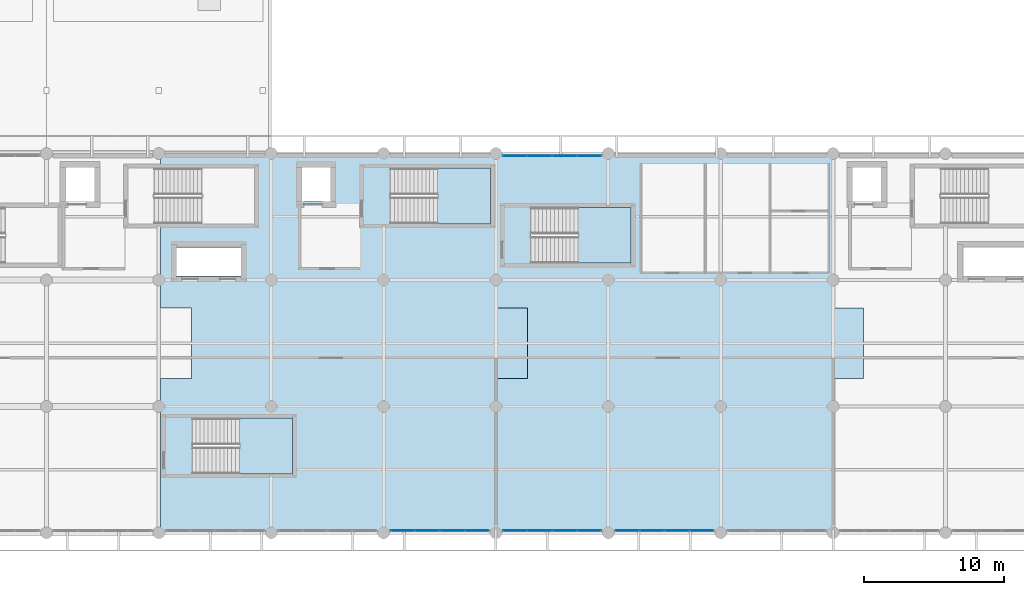
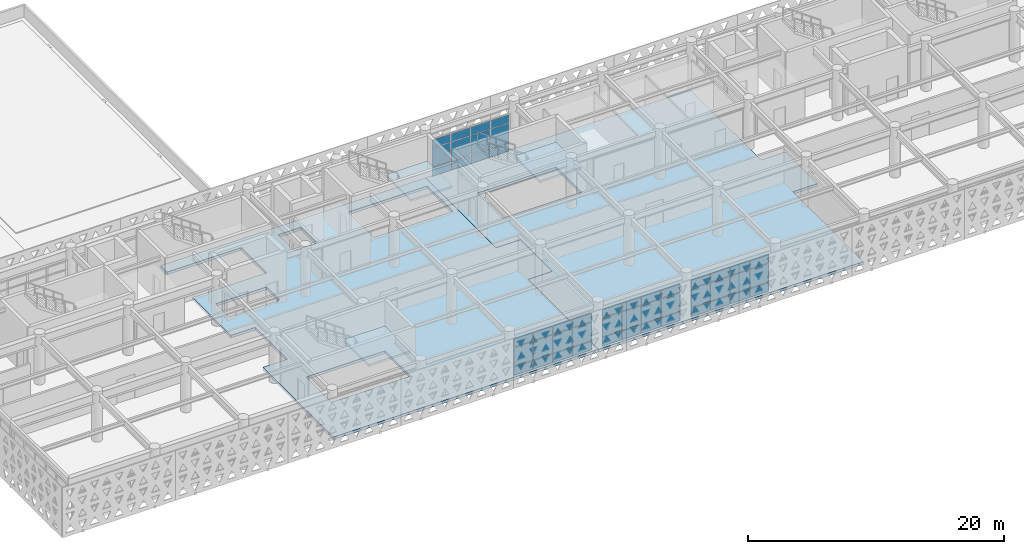
# One storey, part 29 of 54: 48 plates, 5 slabs, 7 elements without a shape of their own.
"""IFC4 building model written with IfcOpenShell, lengths in metres."""

from ifc_helpers import new_model, si_unit, direction, frame, origin, origin_2d, place, context, subcontext, project, spatial, polyline, rectangle, outline, extrude, material, layer, layer_set, type_object, element, aggregate, save


model = new_model("IFC4")

# Units and contexts
model_context = context("Model", 3, precision=1e-05, world=origin(), true_north=direction((0.0, 1.0)))
body_context = subcontext(model_context, "Body", "Model", "MODEL_VIEW")
ifc_project = project(units=[si_unit("LENGTHUNIT", "METRE"), si_unit("AREAUNIT", "SQUARE_METRE"), si_unit("VOLUMEUNIT", "CUBIC_METRE"), si_unit("PLANEANGLEUNIT", "RADIAN"), si_unit("MASSUNIT", "GRAM", prefix="KILO")], contexts=[model_context])

# Site, building, storey
site_placement = place(None, origin())
site = spatial("IfcSite", under=ifc_project, at=site_placement, CompositionType="ELEMENT")
building_placement = place(site_placement, origin())
building = spatial("IfcBuilding", under=site, at=building_placement, Name="Tlacozan Convention Centre", CompositionType="ELEMENT")
storey_placement = place(building_placement, frame((0.0, 0.0, 11.39990234375)))
storey = spatial("IfcBuildingStorey", under=building, at=storey_placement, Name="L02", CompositionType="ELEMENT", Elevation=11.39990234375)

# Curtain wall, plates
ifc_material_1 = material(Name="Dark Bronze Anodised Aluminium", Category="aluminium")
ifc_layer_1 = layer(ifc_material_1, 0.159912109375)
ifc_layer_set_1 = layer_set([ifc_layer_1], Name="Dark Bronze Anodised Aluminium")
curtain_wall_type = type_object("IfcCurtainWallType", Name="Unitised Congress L02 South CW03", PredefinedType="NOTDEFINED", material=ifc_layer_set_1)
curtain_wall_1_placement = place(storey_placement, origin())
curtain_wall_1 = element("IfcCurtainWall", 1, at=curtain_wall_1_placement, inside=storey, type_object=curtain_wall_type, Name="L02 CW-03 Run 95", PredefinedType="NOTDEFINED")
ifc_material_2 = material(Name="Solar Control Double Low-E Argon Glazing", Category="glass")
ifc_layer_2 = layer(ifc_material_2, 0.030029296875)
ifc_layer_set_2 = layer_set([ifc_layer_2], Name="Solar Control Double Low-E Argon Glazing")
plate_type_1 = type_object("IfcPlateType", Name="Double Low-E Acoustic CW Panel 30", PredefinedType="CURTAIN_PANEL", material=ifc_layer_set_2)
plate_1_placement = place(storey_placement, frame((49.353759765625, 26.840087890625, 0.06494140625), z_axis=(0.0, 0.0, 1.0), x_axis=(1.0, 0.0, 0.0)))
plate_1 = element("IfcPlate", 2, at=plate_1_placement, type_object=plate_type_1, Name="CW-03 panel 1.1", PredefinedType="CURTAIN_PANEL", context=body_context, shape_type="SweptSolid", body=[
    extrude(rectangle(XDim=1.677490234375, YDim=0.030029296875, at=origin_2d()), origin(), (0.0, 0.0, 1.0), 0.802490234375),
])
plate_2_placement = place(storey_placement, frame((49.353759765625, 26.840087890625, 0.9326171875), z_axis=(0.0, 0.0, 1.0), x_axis=(1.0, 0.0, 0.0)))
plate_2 = element("IfcPlate", 3, at=plate_2_placement, type_object=plate_type_1, Name="CW-03 panel 1.2", PredefinedType="CURTAIN_PANEL", context=body_context, shape_type="SweptSolid", body=[
    extrude(rectangle(XDim=1.677490234375, YDim=0.030029296875, at=origin_2d()), origin(), (0.0, 0.0, 1.0), 1.77490234375),
])
plate_3_placement = place(storey_placement, frame((49.353759765625, 26.840087890625, 2.772705078125), z_axis=(0.0, 0.0, 1.0), x_axis=(1.0, 0.0, 0.0)))
plate_3 = element("IfcPlate", 4, at=plate_3_placement, type_object=plate_type_1, Name="CW-03 panel 1.3", PredefinedType="CURTAIN_PANEL", context=body_context, shape_type="SweptSolid", body=[
    extrude(rectangle(XDim=1.677490234375, YDim=0.030029296875, at=origin_2d()), origin(), (0.0, 0.0, 1.0), 0.75244140625),
])
plate_4_placement = place(storey_placement, frame((51.112548828125, 26.840087890625, 0.06494140625), z_axis=(0.0, 0.0, 1.0), x_axis=(1.0, 0.0, 0.0)))
plate_4 = element("IfcPlate", 5, at=plate_4_placement, type_object=plate_type_1, Name="CW-03 panel 2.1", PredefinedType="CURTAIN_PANEL", context=body_context, shape_type="SweptSolid", body=[
    extrude(rectangle(XDim=1.7099609375, YDim=0.030029296875, at=origin_2d()), origin(), (0.0, 0.0, 1.0), 0.802490234375),
])
plate_5_placement = place(storey_placement, frame((51.112548828125, 26.840087890625, 0.9326171875), z_axis=(0.0, 0.0, 1.0), x_axis=(1.0, 0.0, 0.0)))
plate_5 = element("IfcPlate", 6, at=plate_5_placement, type_object=plate_type_1, Name="CW-03 panel 2.2", PredefinedType="CURTAIN_PANEL", context=body_context, shape_type="SweptSolid", body=[
    extrude(rectangle(XDim=1.7099609375, YDim=0.030029296875, at=origin_2d()), origin(), (0.0, 0.0, 1.0), 1.77490234375),
])
plate_6_placement = place(storey_placement, frame((51.112548828125, 26.840087890625, 2.772705078125), z_axis=(0.0, 0.0, 1.0), x_axis=(1.0, 0.0, 0.0)))
plate_6 = element("IfcPlate", 7, at=plate_6_placement, type_object=plate_type_1, Name="CW-03 panel 2.3", PredefinedType="CURTAIN_PANEL", context=body_context, shape_type="SweptSolid", body=[
    extrude(rectangle(XDim=1.7099609375, YDim=0.030029296875, at=origin_2d()), origin(), (0.0, 0.0, 1.0), 0.75244140625),
])
plate_7_placement = place(storey_placement, frame((52.887451171875, 26.840087890625, 0.06494140625), z_axis=(0.0, 0.0, 1.0), x_axis=(1.0, 0.0, 0.0)))
plate_7 = element("IfcPlate", 8, at=plate_7_placement, type_object=plate_type_1, Name="CW-03 panel 3.1", PredefinedType="CURTAIN_PANEL", context=body_context, shape_type="SweptSolid", body=[
    extrude(rectangle(XDim=1.7099609375, YDim=0.030029296875, at=origin_2d()), origin(), (0.0, 0.0, 1.0), 0.802490234375),
])
plate_8_placement = place(storey_placement, frame((52.887451171875, 26.840087890625, 0.9326171875), z_axis=(0.0, 0.0, 1.0), x_axis=(1.0, 0.0, 0.0)))
plate_8 = element("IfcPlate", 9, at=plate_8_placement, type_object=plate_type_1, Name="CW-03 panel 3.2", PredefinedType="CURTAIN_PANEL", context=body_context, shape_type="SweptSolid", body=[
    extrude(rectangle(XDim=1.7099609375, YDim=0.030029296875, at=origin_2d()), origin(), (0.0, 0.0, 1.0), 1.77490234375),
])
plate_9_placement = place(storey_placement, frame((52.887451171875, 26.840087890625, 2.772705078125), z_axis=(0.0, 0.0, 1.0), x_axis=(1.0, 0.0, 0.0)))
plate_9 = element("IfcPlate", 10, at=plate_9_placement, type_object=plate_type_1, Name="CW-03 panel 3.3", PredefinedType="CURTAIN_PANEL", context=body_context, shape_type="SweptSolid", body=[
    extrude(rectangle(XDim=1.7099609375, YDim=0.030029296875, at=origin_2d()), origin(), (0.0, 0.0, 1.0), 0.75244140625),
])
plate_10_placement = place(storey_placement, frame((54.646240234375, 26.840087890625, 0.06494140625), z_axis=(0.0, 0.0, 1.0), x_axis=(1.0, 0.0, 0.0)))
plate_10 = element("IfcPlate", 11, at=plate_10_placement, type_object=plate_type_1, Name="CW-03 panel 4.1", PredefinedType="CURTAIN_PANEL", context=body_context, shape_type="SweptSolid", body=[
    extrude(rectangle(XDim=1.677490234375, YDim=0.030029296875, at=origin_2d()), origin(), (0.0, 0.0, 1.0), 0.802490234375),
])
plate_11_placement = place(storey_placement, frame((54.646240234375, 26.840087890625, 0.9326171875), z_axis=(0.0, 0.0, 1.0), x_axis=(1.0, 0.0, 0.0)))
plate_11 = element("IfcPlate", 12, at=plate_11_placement, type_object=plate_type_1, Name="CW-03 panel 4.2", PredefinedType="CURTAIN_PANEL", context=body_context, shape_type="SweptSolid", body=[
    extrude(rectangle(XDim=1.677490234375, YDim=0.030029296875, at=origin_2d()), origin(), (0.0, 0.0, 1.0), 1.77490234375),
])
plate_12_placement = place(storey_placement, frame((54.646240234375, 26.840087890625, 2.772705078125), z_axis=(0.0, 0.0, 1.0), x_axis=(1.0, 0.0, 0.0)))
plate_12 = element("IfcPlate", 13, at=plate_12_placement, type_object=plate_type_1, Name="CW-03 panel 4.3", PredefinedType="CURTAIN_PANEL", context=body_context, shape_type="SweptSolid", body=[
    extrude(rectangle(XDim=1.677490234375, YDim=0.030029296875, at=origin_2d()), origin(), (0.0, 0.0, 1.0), 0.75244140625),
])
aggregate(curtain_wall_1, [plate_1, plate_2, plate_3, plate_4, plate_5, plate_6, plate_7, plate_8, plate_9, plate_10, plate_11, plate_12])

curtain_wall_2_placement = place(storey_placement, origin())
curtain_wall_2 = element("IfcCurtainWall", 14, at=curtain_wall_2_placement, inside=storey, type_object=curtain_wall_type, Name="L02 CW-03 Run 84", PredefinedType="NOTDEFINED")
ifc_layer_3 = layer(ifc_material_2, 0.02001953125)
ifc_layer_set_3 = layer_set([ifc_layer_3], Name="Solar Control Double Low-E Argon Glazing")
plate_type_2 = type_object("IfcPlateType", Name="Double Low-E Glazed CW Panel 20", PredefinedType="CURTAIN_PANEL", material=ifc_layer_set_3)
plate_13_placement = place(storey_placement, frame((49.353759765625, 0.159912109375, 0.06494140625), z_axis=(0.0, 0.0, 1.0), x_axis=(1.0, 0.0, 0.0)))
plate_13 = element("IfcPlate", 15, at=plate_13_placement, type_object=plate_type_2, Name="CW-03 panel 1.1", PredefinedType="CURTAIN_PANEL", context=body_context, shape_type="SweptSolid", body=[
    extrude(rectangle(XDim=1.677490234375, YDim=0.02001953125, at=origin_2d()), origin(), (0.0, 0.0, 1.0), 0.802490234375),
])
plate_14_placement = place(storey_placement, frame((49.353759765625, 0.159912109375, 0.9326171875), z_axis=(0.0, 0.0, 1.0), x_axis=(1.0, 0.0, 0.0)))
plate_14 = element("IfcPlate", 16, at=plate_14_placement, type_object=plate_type_2, Name="CW-03 panel 1.2", PredefinedType="CURTAIN_PANEL", context=body_context, shape_type="SweptSolid", body=[
    extrude(rectangle(XDim=1.677490234375, YDim=0.02001953125, at=origin_2d()), origin(), (0.0, 0.0, 1.0), 1.77490234375),
])
plate_15_placement = place(storey_placement, frame((49.353759765625, 0.159912109375, 2.772705078125), z_axis=(0.0, 0.0, 1.0), x_axis=(1.0, 0.0, 0.0)))
plate_15 = element("IfcPlate", 17, at=plate_15_placement, type_object=plate_type_2, Name="CW-03 panel 1.3", PredefinedType="CURTAIN_PANEL", context=body_context, shape_type="SweptSolid", body=[
    extrude(rectangle(XDim=1.677490234375, YDim=0.02001953125, at=origin_2d()), origin(), (0.0, 0.0, 1.0), 0.75244140625),
])
plate_16_placement = place(storey_placement, frame((51.112548828125, 0.159912109375, 0.06494140625), z_axis=(0.0, 0.0, 1.0), x_axis=(1.0, 0.0, 0.0)))
plate_16 = element("IfcPlate", 18, at=plate_16_placement, type_object=plate_type_2, Name="CW-03 panel 2.1", PredefinedType="CURTAIN_PANEL", context=body_context, shape_type="SweptSolid", body=[
    extrude(rectangle(XDim=1.7099609375, YDim=0.02001953125, at=origin_2d()), origin(), (0.0, 0.0, 1.0), 0.802490234375),
])
plate_17_placement = place(storey_placement, frame((51.112548828125, 0.159912109375, 0.9326171875), z_axis=(0.0, 0.0, 1.0), x_axis=(1.0, 0.0, 0.0)))
plate_17 = element("IfcPlate", 19, at=plate_17_placement, type_object=plate_type_2, Name="CW-03 panel 2.2", PredefinedType="CURTAIN_PANEL", context=body_context, shape_type="SweptSolid", body=[
    extrude(rectangle(XDim=1.7099609375, YDim=0.02001953125, at=origin_2d()), origin(), (0.0, 0.0, 1.0), 1.77490234375),
])
plate_18_placement = place(storey_placement, frame((51.112548828125, 0.159912109375, 2.772705078125), z_axis=(0.0, 0.0, 1.0), x_axis=(1.0, 0.0, 0.0)))
plate_18 = element("IfcPlate", 20, at=plate_18_placement, type_object=plate_type_2, Name="CW-03 panel 2.3", PredefinedType="CURTAIN_PANEL", context=body_context, shape_type="SweptSolid", body=[
    extrude(rectangle(XDim=1.7099609375, YDim=0.02001953125, at=origin_2d()), origin(), (0.0, 0.0, 1.0), 0.75244140625),
])
plate_19_placement = place(storey_placement, frame((52.887451171875, 0.159912109375, 0.06494140625), z_axis=(0.0, 0.0, 1.0), x_axis=(1.0, 0.0, 0.0)))
plate_19 = element("IfcPlate", 21, at=plate_19_placement, type_object=plate_type_2, Name="CW-03 panel 3.1", PredefinedType="CURTAIN_PANEL", context=body_context, shape_type="SweptSolid", body=[
    extrude(rectangle(XDim=1.7099609375, YDim=0.02001953125, at=origin_2d()), origin(), (0.0, 0.0, 1.0), 0.802490234375),
])
plate_20_placement = place(storey_placement, frame((52.887451171875, 0.159912109375, 0.9326171875), z_axis=(0.0, 0.0, 1.0), x_axis=(1.0, 0.0, 0.0)))
plate_20 = element("IfcPlate", 22, at=plate_20_placement, type_object=plate_type_2, Name="CW-03 panel 3.2", PredefinedType="CURTAIN_PANEL", context=body_context, shape_type="SweptSolid", body=[
    extrude(rectangle(XDim=1.7099609375, YDim=0.02001953125, at=origin_2d()), origin(), (0.0, 0.0, 1.0), 1.77490234375),
])
plate_21_placement = place(storey_placement, frame((52.887451171875, 0.159912109375, 2.772705078125), z_axis=(0.0, 0.0, 1.0), x_axis=(1.0, 0.0, 0.0)))
plate_21 = element("IfcPlate", 23, at=plate_21_placement, type_object=plate_type_2, Name="CW-03 panel 3.3", PredefinedType="CURTAIN_PANEL", context=body_context, shape_type="SweptSolid", body=[
    extrude(rectangle(XDim=1.7099609375, YDim=0.02001953125, at=origin_2d()), origin(), (0.0, 0.0, 1.0), 0.75244140625),
])
plate_22_placement = place(storey_placement, frame((54.646240234375, 0.159912109375, 0.06494140625), z_axis=(0.0, 0.0, 1.0), x_axis=(1.0, 0.0, 0.0)))
plate_22 = element("IfcPlate", 24, at=plate_22_placement, type_object=plate_type_2, Name="CW-03 panel 4.1", PredefinedType="CURTAIN_PANEL", context=body_context, shape_type="SweptSolid", body=[
    extrude(rectangle(XDim=1.677490234375, YDim=0.02001953125, at=origin_2d()), origin(), (0.0, 0.0, 1.0), 0.802490234375),
])
plate_23_placement = place(storey_placement, frame((54.646240234375, 0.159912109375, 0.9326171875), z_axis=(0.0, 0.0, 1.0), x_axis=(1.0, 0.0, 0.0)))
plate_23 = element("IfcPlate", 25, at=plate_23_placement, type_object=plate_type_2, Name="CW-03 panel 4.2", PredefinedType="CURTAIN_PANEL", context=body_context, shape_type="SweptSolid", body=[
    extrude(rectangle(XDim=1.677490234375, YDim=0.02001953125, at=origin_2d()), origin(), (0.0, 0.0, 1.0), 1.77490234375),
])
plate_24_placement = place(storey_placement, frame((54.646240234375, 0.159912109375, 2.772705078125), z_axis=(0.0, 0.0, 1.0), x_axis=(1.0, 0.0, 0.0)))
plate_24 = element("IfcPlate", 26, at=plate_24_placement, type_object=plate_type_2, Name="CW-03 panel 4.3", PredefinedType="CURTAIN_PANEL", context=body_context, shape_type="SweptSolid", body=[
    extrude(rectangle(XDim=1.677490234375, YDim=0.02001953125, at=origin_2d()), origin(), (0.0, 0.0, 1.0), 0.75244140625),
])
aggregate(curtain_wall_2, [plate_13, plate_14, plate_15, plate_16, plate_17, plate_18, plate_19, plate_20, plate_21, plate_22, plate_23, plate_24])

curtain_wall_3_placement = place(storey_placement, origin())
curtain_wall_3 = element("IfcCurtainWall", 27, at=curtain_wall_3_placement, inside=storey, type_object=curtain_wall_type, Name="L02 CW-03 Run 83", PredefinedType="NOTDEFINED")
ifc_layer_4 = layer(ifc_material_2, 0.0400390625)
ifc_layer_set_4 = layer_set([ifc_layer_4], Name="Solar Control Double Low-E Argon Glazing")
plate_type_3 = type_object("IfcPlateType", Name="Insulated Spandrel CW Panel 40", PredefinedType="CURTAIN_PANEL", material=ifc_layer_set_4)
plate_25_placement = place(storey_placement, frame((41.353759765625, 0.159912109375, 0.06494140625), z_axis=(0.0, 0.0, 1.0), x_axis=(1.0, 0.0, 0.0)))
plate_25 = element("IfcPlate", 28, at=plate_25_placement, type_object=plate_type_3, Name="CW-03 panel 1.1", PredefinedType="CURTAIN_PANEL", context=body_context, shape_type="SweptSolid", body=[
    extrude(rectangle(XDim=1.677490234375, YDim=0.0400390625, at=origin_2d()), origin(), (0.0, 0.0, 1.0), 0.802490234375),
])
plate_26_placement = place(storey_placement, frame((41.353759765625, 0.159912109375, 0.9326171875), z_axis=(0.0, 0.0, 1.0), x_axis=(1.0, 0.0, 0.0)))
plate_26 = element("IfcPlate", 29, at=plate_26_placement, type_object=plate_type_3, Name="CW-03 panel 1.2", PredefinedType="CURTAIN_PANEL", context=body_context, shape_type="SweptSolid", body=[
    extrude(rectangle(XDim=1.677490234375, YDim=0.0400390625, at=origin_2d()), origin(), (0.0, 0.0, 1.0), 1.77490234375),
])
plate_27_placement = place(storey_placement, frame((41.353759765625, 0.159912109375, 2.772705078125), z_axis=(0.0, 0.0, 1.0), x_axis=(1.0, 0.0, 0.0)))
plate_27 = element("IfcPlate", 30, at=plate_27_placement, type_object=plate_type_3, Name="CW-03 panel 1.3", PredefinedType="CURTAIN_PANEL", context=body_context, shape_type="SweptSolid", body=[
    extrude(rectangle(XDim=1.677490234375, YDim=0.0400390625, at=origin_2d()), origin(), (0.0, 0.0, 1.0), 0.75244140625),
])
plate_28_placement = place(storey_placement, frame((43.112548828125, 0.159912109375, 0.06494140625), z_axis=(0.0, 0.0, 1.0), x_axis=(1.0, 0.0, 0.0)))
plate_28 = element("IfcPlate", 31, at=plate_28_placement, type_object=plate_type_3, Name="CW-03 panel 2.1", PredefinedType="CURTAIN_PANEL", context=body_context, shape_type="SweptSolid", body=[
    extrude(rectangle(XDim=1.7099609375, YDim=0.0400390625, at=origin_2d()), origin(), (0.0, 0.0, 1.0), 0.802490234375),
])
plate_29_placement = place(storey_placement, frame((43.112548828125, 0.159912109375, 0.9326171875), z_axis=(0.0, 0.0, 1.0), x_axis=(1.0, 0.0, 0.0)))
plate_29 = element("IfcPlate", 32, at=plate_29_placement, type_object=plate_type_3, Name="CW-03 panel 2.2", PredefinedType="CURTAIN_PANEL", context=body_context, shape_type="SweptSolid", body=[
    extrude(rectangle(XDim=1.7099609375, YDim=0.0400390625, at=origin_2d()), origin(), (0.0, 0.0, 1.0), 1.77490234375),
])
plate_30_placement = place(storey_placement, frame((43.112548828125, 0.159912109375, 2.772705078125), z_axis=(0.0, 0.0, 1.0), x_axis=(1.0, 0.0, 0.0)))
plate_30 = element("IfcPlate", 33, at=plate_30_placement, type_object=plate_type_3, Name="CW-03 panel 2.3", PredefinedType="CURTAIN_PANEL", context=body_context, shape_type="SweptSolid", body=[
    extrude(rectangle(XDim=1.7099609375, YDim=0.0400390625, at=origin_2d()), origin(), (0.0, 0.0, 1.0), 0.75244140625),
])
plate_31_placement = place(storey_placement, frame((44.887451171875, 0.159912109375, 0.06494140625), z_axis=(0.0, 0.0, 1.0), x_axis=(1.0, 0.0, 0.0)))
plate_31 = element("IfcPlate", 34, at=plate_31_placement, type_object=plate_type_3, Name="CW-03 panel 3.1", PredefinedType="CURTAIN_PANEL", context=body_context, shape_type="SweptSolid", body=[
    extrude(rectangle(XDim=1.7099609375, YDim=0.0400390625, at=origin_2d()), origin(), (0.0, 0.0, 1.0), 0.802490234375),
])
plate_32_placement = place(storey_placement, frame((44.887451171875, 0.159912109375, 0.9326171875), z_axis=(0.0, 0.0, 1.0), x_axis=(1.0, 0.0, 0.0)))
plate_32 = element("IfcPlate", 35, at=plate_32_placement, type_object=plate_type_3, Name="CW-03 panel 3.2", PredefinedType="CURTAIN_PANEL", context=body_context, shape_type="SweptSolid", body=[
    extrude(rectangle(XDim=1.7099609375, YDim=0.0400390625, at=origin_2d()), origin(), (0.0, 0.0, 1.0), 1.77490234375),
])
plate_33_placement = place(storey_placement, frame((44.887451171875, 0.159912109375, 2.772705078125), z_axis=(0.0, 0.0, 1.0), x_axis=(1.0, 0.0, 0.0)))
plate_33 = element("IfcPlate", 36, at=plate_33_placement, type_object=plate_type_3, Name="CW-03 panel 3.3", PredefinedType="CURTAIN_PANEL", context=body_context, shape_type="SweptSolid", body=[
    extrude(rectangle(XDim=1.7099609375, YDim=0.0400390625, at=origin_2d()), origin(), (0.0, 0.0, 1.0), 0.75244140625),
])
plate_34_placement = place(storey_placement, frame((46.646240234375, 0.159912109375, 0.06494140625), z_axis=(0.0, 0.0, 1.0), x_axis=(1.0, 0.0, 0.0)))
plate_34 = element("IfcPlate", 37, at=plate_34_placement, type_object=plate_type_3, Name="CW-03 panel 4.1", PredefinedType="CURTAIN_PANEL", context=body_context, shape_type="SweptSolid", body=[
    extrude(rectangle(XDim=1.677490234375, YDim=0.0400390625, at=origin_2d()), origin(), (0.0, 0.0, 1.0), 0.802490234375),
])
plate_35_placement = place(storey_placement, frame((46.646240234375, 0.159912109375, 0.9326171875), z_axis=(0.0, 0.0, 1.0), x_axis=(1.0, 0.0, 0.0)))
plate_35 = element("IfcPlate", 38, at=plate_35_placement, type_object=plate_type_3, Name="CW-03 panel 4.2", PredefinedType="CURTAIN_PANEL", context=body_context, shape_type="SweptSolid", body=[
    extrude(rectangle(XDim=1.677490234375, YDim=0.0400390625, at=origin_2d()), origin(), (0.0, 0.0, 1.0), 1.77490234375),
])
plate_36_placement = place(storey_placement, frame((46.646240234375, 0.159912109375, 2.772705078125), z_axis=(0.0, 0.0, 1.0), x_axis=(1.0, 0.0, 0.0)))
plate_36 = element("IfcPlate", 39, at=plate_36_placement, type_object=plate_type_3, Name="CW-03 panel 4.3", PredefinedType="CURTAIN_PANEL", context=body_context, shape_type="SweptSolid", body=[
    extrude(rectangle(XDim=1.677490234375, YDim=0.0400390625, at=origin_2d()), origin(), (0.0, 0.0, 1.0), 0.75244140625),
])
aggregate(curtain_wall_3, [plate_25, plate_26, plate_27, plate_28, plate_29, plate_30, plate_31, plate_32, plate_33, plate_34, plate_35, plate_36])

curtain_wall_4_placement = place(storey_placement, origin())
curtain_wall_4 = element("IfcCurtainWall", 40, at=curtain_wall_4_placement, inside=storey, type_object=curtain_wall_type, Name="L02 CW-03 Run 85", PredefinedType="NOTDEFINED")
plate_37_placement = place(storey_placement, frame((57.353759765625, 0.159912109375, 0.06494140625), z_axis=(0.0, 0.0, 1.0), x_axis=(1.0, 0.0, 0.0)))
plate_37 = element("IfcPlate", 41, at=plate_37_placement, type_object=plate_type_3, Name="CW-03 panel 1.1", PredefinedType="CURTAIN_PANEL", context=body_context, shape_type="SweptSolid", body=[
    extrude(rectangle(XDim=1.677490234375, YDim=0.0400390625, at=origin_2d()), origin(), (0.0, 0.0, 1.0), 0.802490234375),
])
plate_38_placement = place(storey_placement, frame((57.353759765625, 0.159912109375, 0.9326171875), z_axis=(0.0, 0.0, 1.0), x_axis=(1.0, 0.0, 0.0)))
plate_38 = element("IfcPlate", 42, at=plate_38_placement, type_object=plate_type_3, Name="CW-03 panel 1.2", PredefinedType="CURTAIN_PANEL", context=body_context, shape_type="SweptSolid", body=[
    extrude(rectangle(XDim=1.677490234375, YDim=0.0400390625, at=origin_2d()), origin(), (0.0, 0.0, 1.0), 1.77490234375),
])
plate_39_placement = place(storey_placement, frame((57.353759765625, 0.159912109375, 2.772705078125), z_axis=(0.0, 0.0, 1.0), x_axis=(1.0, 0.0, 0.0)))
plate_39 = element("IfcPlate", 43, at=plate_39_placement, type_object=plate_type_3, Name="CW-03 panel 1.3", PredefinedType="CURTAIN_PANEL", context=body_context, shape_type="SweptSolid", body=[
    extrude(rectangle(XDim=1.677490234375, YDim=0.0400390625, at=origin_2d()), origin(), (0.0, 0.0, 1.0), 0.75244140625),
])
plate_40_placement = place(storey_placement, frame((59.112548828125, 0.159912109375, 0.06494140625), z_axis=(0.0, 0.0, 1.0), x_axis=(1.0, 0.0, 0.0)))
plate_40 = element("IfcPlate", 44, at=plate_40_placement, type_object=plate_type_3, Name="CW-03 panel 2.1", PredefinedType="CURTAIN_PANEL", context=body_context, shape_type="SweptSolid", body=[
    extrude(rectangle(XDim=1.7099609375, YDim=0.0400390625, at=origin_2d()), origin(), (0.0, 0.0, 1.0), 0.802490234375),
])
plate_41_placement = place(storey_placement, frame((59.112548828125, 0.159912109375, 0.9326171875), z_axis=(0.0, 0.0, 1.0), x_axis=(1.0, 0.0, 0.0)))
plate_41 = element("IfcPlate", 45, at=plate_41_placement, type_object=plate_type_3, Name="CW-03 panel 2.2", PredefinedType="CURTAIN_PANEL", context=body_context, shape_type="SweptSolid", body=[
    extrude(rectangle(XDim=1.7099609375, YDim=0.0400390625, at=origin_2d()), origin(), (0.0, 0.0, 1.0), 1.77490234375),
])
plate_42_placement = place(storey_placement, frame((59.112548828125, 0.159912109375, 2.772705078125), z_axis=(0.0, 0.0, 1.0), x_axis=(1.0, 0.0, 0.0)))
plate_42 = element("IfcPlate", 46, at=plate_42_placement, type_object=plate_type_3, Name="CW-03 panel 2.3", PredefinedType="CURTAIN_PANEL", context=body_context, shape_type="SweptSolid", body=[
    extrude(rectangle(XDim=1.7099609375, YDim=0.0400390625, at=origin_2d()), origin(), (0.0, 0.0, 1.0), 0.75244140625),
])
plate_43_placement = place(storey_placement, frame((60.887451171875, 0.159912109375, 0.06494140625), z_axis=(0.0, 0.0, 1.0), x_axis=(1.0, 0.0, 0.0)))
plate_43 = element("IfcPlate", 47, at=plate_43_placement, type_object=plate_type_3, Name="CW-03 panel 3.1", PredefinedType="CURTAIN_PANEL", context=body_context, shape_type="SweptSolid", body=[
    extrude(rectangle(XDim=1.7099609375, YDim=0.0400390625, at=origin_2d()), origin(), (0.0, 0.0, 1.0), 0.802490234375),
])
plate_44_placement = place(storey_placement, frame((60.887451171875, 0.159912109375, 0.9326171875), z_axis=(0.0, 0.0, 1.0), x_axis=(1.0, 0.0, 0.0)))
plate_44 = element("IfcPlate", 48, at=plate_44_placement, type_object=plate_type_3, Name="CW-03 panel 3.2", PredefinedType="CURTAIN_PANEL", context=body_context, shape_type="SweptSolid", body=[
    extrude(rectangle(XDim=1.7099609375, YDim=0.0400390625, at=origin_2d()), origin(), (0.0, 0.0, 1.0), 1.77490234375),
])
plate_45_placement = place(storey_placement, frame((60.887451171875, 0.159912109375, 2.772705078125), z_axis=(0.0, 0.0, 1.0), x_axis=(1.0, 0.0, 0.0)))
plate_45 = element("IfcPlate", 49, at=plate_45_placement, type_object=plate_type_3, Name="CW-03 panel 3.3", PredefinedType="CURTAIN_PANEL", context=body_context, shape_type="SweptSolid", body=[
    extrude(rectangle(XDim=1.7099609375, YDim=0.0400390625, at=origin_2d()), origin(), (0.0, 0.0, 1.0), 0.75244140625),
])
plate_46_placement = place(storey_placement, frame((62.646240234375, 0.159912109375, 0.06494140625), z_axis=(0.0, 0.0, 1.0), x_axis=(1.0, 0.0, 0.0)))
plate_46 = element("IfcPlate", 50, at=plate_46_placement, type_object=plate_type_3, Name="CW-03 panel 4.1", PredefinedType="CURTAIN_PANEL", context=body_context, shape_type="SweptSolid", body=[
    extrude(rectangle(XDim=1.677490234375, YDim=0.0400390625, at=origin_2d()), origin(), (0.0, 0.0, 1.0), 0.802490234375),
])
plate_47_placement = place(storey_placement, frame((62.646240234375, 0.159912109375, 0.9326171875), z_axis=(0.0, 0.0, 1.0), x_axis=(1.0, 0.0, 0.0)))
plate_47 = element("IfcPlate", 51, at=plate_47_placement, type_object=plate_type_3, Name="CW-03 panel 4.2", PredefinedType="CURTAIN_PANEL", context=body_context, shape_type="SweptSolid", body=[
    extrude(rectangle(XDim=1.677490234375, YDim=0.0400390625, at=origin_2d()), origin(), (0.0, 0.0, 1.0), 1.77490234375),
])
plate_48_placement = place(storey_placement, frame((62.646240234375, 0.159912109375, 2.772705078125), z_axis=(0.0, 0.0, 1.0), x_axis=(1.0, 0.0, 0.0)))
plate_48 = element("IfcPlate", 52, at=plate_48_placement, type_object=plate_type_3, Name="CW-03 panel 4.3", PredefinedType="CURTAIN_PANEL", context=body_context, shape_type="SweptSolid", body=[
    extrude(rectangle(XDim=1.677490234375, YDim=0.0400390625, at=origin_2d()), origin(), (0.0, 0.0, 1.0), 0.75244140625),
])
aggregate(curtain_wall_4, [plate_37, plate_38, plate_39, plate_40, plate_41, plate_42, plate_43, plate_44, plate_45, plate_46, plate_47, plate_48])

# Stair, slab
ifc_material_3 = material(Name="Concrete C40/50", Category="concrete")
stair_type = type_object("IfcStairType", Name="Protected Dogleg Stair W188 H48", PredefinedType="HALF_TURN_STAIR", material=ifc_material_3)
stair_1_placement = place(storey_placement, origin())
stair_1 = element("IfcStair", 53, at=stair_1_placement, inside=storey, type_object=stair_type, Name="L02 Central Congress Core Stair ST-04", PredefinedType="HALF_TURN_STAIR")
ifc_layer_5 = layer(ifc_material_3, 0.199951171875)
ifc_layer_set_5 = layer_set([ifc_layer_5], Name="Concrete C40/50")
slab_type_1 = type_object("IfcSlabType", Name="Stair Half Landing Slab 200", PredefinedType="LANDING", material=ifc_layer_set_5)
slab_1_placement = place(storey_placement, frame((0.0, 0.0, 2.2001953125)))
slab_1 = element("IfcSlab", 54, at=slab_1_placement, type_object=slab_type_1, Name="ST-04 landing 1", PredefinedType="LANDING", context=body_context, shape_type="SweptSolid", body=[
    extrude(outline(polyline([(43.840087890625, 22.0), (47.60009765625, 22.0), (47.60009765625, 25.9599609375), (43.840087890625, 25.9599609375), (43.840087890625, 22.0)])), origin(), (0.0, 0.0, 1.0), 0.199951171875),
])
aggregate(stair_1, [slab_1])

stair_2_placement = place(storey_placement, origin())
stair_2 = element("IfcStair", 55, at=stair_2_placement, inside=storey, type_object=stair_type, Name="L02 Central Promenade Congress Stair", PredefinedType="HALF_TURN_STAIR")
slab_2_placement = place(storey_placement, frame((0.0, 0.0, 2.2001953125)))
slab_2 = element("IfcSlab", 56, at=slab_2_placement, type_object=slab_type_1, Name="ST-14 landing 1", PredefinedType="LANDING", context=body_context, shape_type="SweptSolid", body=[
    extrude(outline(polyline([(53.840087890625, 19.199951171875), (57.60009765625, 19.199951171875), (57.60009765625, 23.159912109375), (53.840087890625, 23.159912109375), (53.840087890625, 19.199951171875)])), origin(), (0.0, 0.0, 1.0), 0.199951171875),
])
aggregate(stair_2, [slab_2])

stair_3_placement = place(storey_placement, origin())
stair_3 = element("IfcStair", 57, at=stair_3_placement, inside=storey, type_object=stair_type, Name="L02 West Concourse Grand Stair", PredefinedType="HALF_TURN_STAIR")
slab_3_placement = place(storey_placement, frame((0.0, 0.0, 2.2001953125)))
slab_3 = element("IfcSlab", 58, at=slab_3_placement, type_object=slab_type_1, Name="ST-16 landing 1", PredefinedType="LANDING", context=body_context, shape_type="SweptSolid", body=[
    extrude(outline(polyline([(29.739990234375, 4.199951171875), (33.5, 4.199951171875), (33.5, 8.159912109375), (29.739990234375, 8.159912109375), (29.739990234375, 4.199951171875)])), origin(), (0.0, 0.0, 1.0), 0.199951171875),
])
aggregate(stair_3, [slab_3])

# Slabs
ifc_layer_6 = layer(ifc_material_3, 0.260009765625)
ifc_layer_set_6 = layer_set([ifc_layer_6], Name="Concrete C40/50")
slab_type_2 = type_object("IfcSlabType", Name="Upper Congress Floor Slab 260", PredefinedType="FLOOR", material=ifc_layer_set_6)
slab_4_placement = place(storey_placement, frame((0.0, 0.0, -0.260009765625)))
element("IfcSlab", 59, at=slab_4_placement, inside=storey, type_object=slab_type_2, Name="L02 Upper Congress Floor Slab 260 68", PredefinedType="FLOOR", context=body_context, shape_type="SweptSolid", body=[
    extrude(outline(polyline([(24.1201171875, 11.0), (26.320068359375, 11.0), (26.320068359375, 16.0), (24.1201171875, 16.0), (24.1201171875, 22.0), (30.800048828125, 22.0), (30.800048828125, 25.9599609375), (24.1201171875, 25.9599609375), (24.1201171875, 27.0), (48.0400390625, 27.0), (48.0400390625, 16.0), (50.239990234375, 16.0), (50.239990234375, 11.0), (48.0400390625, 11.0), (48.0400390625, 0.0), (24.1201171875, 0.0), (24.1201171875, 11.0)]), holes=[polyline([(33.5, 4.199951171875), (33.5, 8.159912109375), (26.3798828125, 8.159912109375), (26.3798828125, 4.199951171875), (33.5, 4.199951171875)]), polyline([(29.830078125, 20.330078125), (25.27001953125, 20.330078125), (25.27001953125, 18.27001953125), (29.830078125, 18.27001953125), (29.830078125, 20.330078125)]), polyline([(47.60009765625, 22.0), (47.60009765625, 25.9599609375), (40.47998046875, 25.9599609375), (40.47998046875, 22.0), (47.60009765625, 22.0)]), polyline([(36.219970703125, 23.580078125), (36.219970703125, 26.02001953125), (34.179931640625, 26.02001953125), (34.179931640625, 23.580078125), (36.219970703125, 23.580078125)])]), origin(), (0.0, 0.0, 1.0), 0.260009765625),
])
slab_5_placement = place(storey_placement, frame((0.0, 0.0, -0.260009765625)))
element("IfcSlab", 60, at=slab_5_placement, inside=storey, type_object=slab_type_2, Name="L02 Upper Congress Floor Slab 260 69", PredefinedType="FLOOR", context=body_context, shape_type="SweptSolid", body=[
    extrude(outline(polyline([(48.0400390625, 11.0), (50.239990234375, 11.0), (50.239990234375, 16.0), (48.0400390625, 16.0), (48.0400390625, 27.0), (71.9599609375, 27.0), (71.9599609375, 16.0), (74.159912109375, 16.0), (74.159912109375, 11.0), (71.9599609375, 11.0), (71.9599609375, 0.0), (48.0400390625, 0.0), (48.0400390625, 11.0)]), holes=[polyline([(50.47998046875, 19.199951171875), (57.60009765625, 19.199951171875), (57.60009765625, 23.159912109375), (50.47998046875, 23.159912109375), (50.47998046875, 19.199951171875)])]), origin(), (0.0, 0.0, 1.0), 0.260009765625),
])

save(model, "model.ifc")
